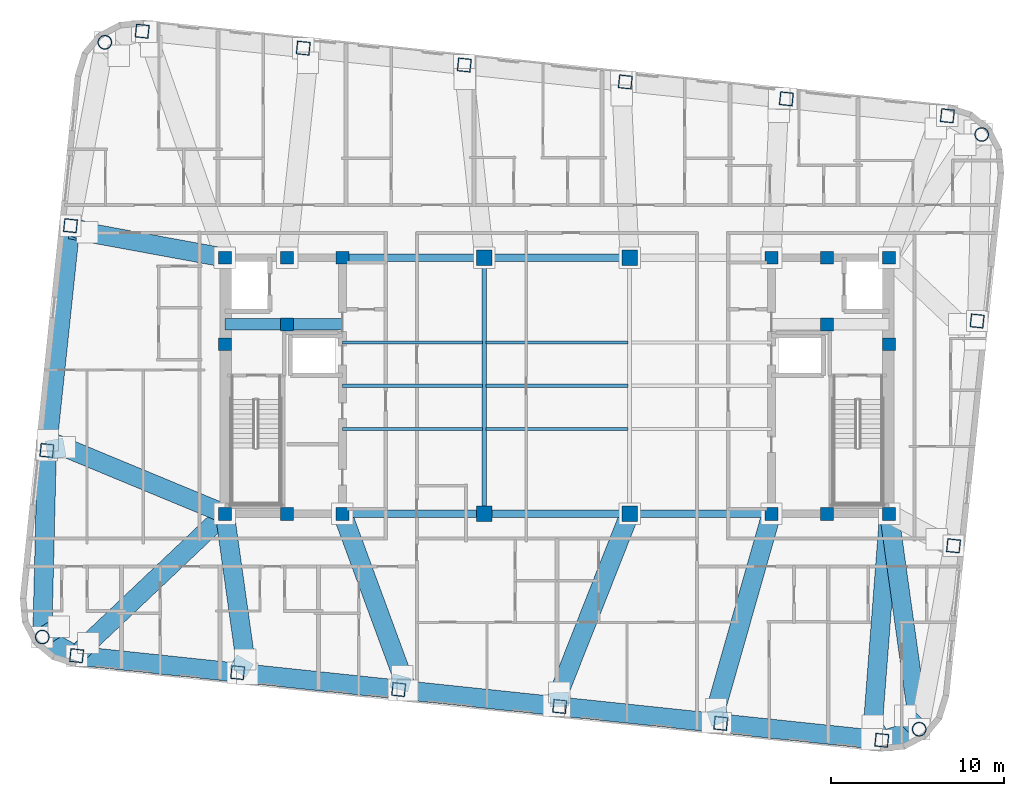
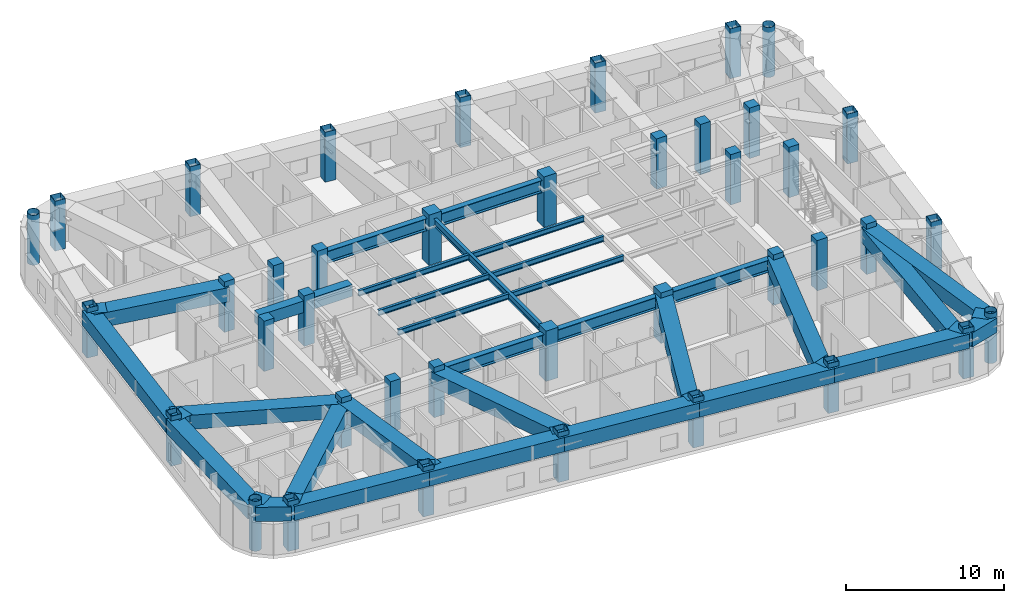
# One storey, part 1 of 12: 41 beams, 40 columns.
"""IFC4 building model written with IfcOpenShell, lengths in metres."""

from ifc_helpers import new_model, si_unit, direction, frame, origin, origin_2d, place, context, subcontext, project, spatial, rectangle, hollow_rectangle, hollow_circle, i_section, extrude, material, material_profile, profile_set, type_object, element, save


model = new_model("IFC4")

# Units and contexts
model_context = context("Model", 3, precision=1e-05, world=origin(), true_north=direction((0.0, 1.0)))
body_context = subcontext(model_context, "Body", "Model", "MODEL_VIEW")
ifc_project = project(units=[si_unit("LENGTHUNIT", "METRE"), si_unit("AREAUNIT", "SQUARE_METRE"), si_unit("VOLUMEUNIT", "CUBIC_METRE"), si_unit("PLANEANGLEUNIT", "RADIAN"), si_unit("MASSUNIT", "GRAM", prefix="KILO")], contexts=[model_context])

# Site, building, storey
site_placement = place(None, origin())
site = spatial("IfcSite", under=ifc_project, at=site_placement, CompositionType="ELEMENT")
building_placement = place(site_placement, origin())
building = spatial("IfcBuilding", under=site, at=building_placement, Name="Voryun Gate Residences", CompositionType="ELEMENT")
storey_placement = place(building_placement, frame((0.0, 0.0, 306.800048828125)))
storey = spatial("IfcBuildingStorey", under=building, at=storey_placement, Name="L76", CompositionType="ELEMENT", Elevation=306.800048828125)

# Columns
ifc_material_1 = material(Name="Concrete C50/60", Category="concrete")
ifc_material_profile_1 = material_profile(ifc_material_1, rectangle(XDim=0.75, YDim=0.75, at=origin_2d()), Name="RC-750x750")
ifc_profile_set_1 = profile_set([ifc_material_profile_1], Name="Concrete C50/60")
column_type_1 = type_object("IfcColumnType", Name="COL_CORE_750", PredefinedType="COLUMN", material=ifc_profile_set_1)
for number, where, z_axis, x_axis, name in (
    (1, (-19.199951171875, -7.39990234375, 0.0), (0.0, 0.0, 1.0), (1.0, 0.0, 0.0), "L76 Core boundary column WC-SW"),
    (2, (-19.199951171875, 2.39990234375, 0.0), (0.0, 0.0, 1.0), (1.0, 0.0, 0.0), "L76 Core boundary column WC-MW"),
    (3, (-19.199951171875, 7.39990234375, 0.0), (0.0, 0.0, 1.0), (1.0, 0.0, 0.0), "L76 Core boundary column WC-NW"),
    (4, (-15.60009765625, -7.39990234375, 0.0), (0.0, 0.0, 1.0), (1.0, 0.0, 0.0), "L76 Core boundary column WC-SM"),
    (5, (-15.60009765625, 7.39990234375, 0.0), (0.0, 0.0, 1.0), (1.0, 0.0, 0.0), "L76 Core boundary column WC-NM"),
    (6, (-12.39990234375, -7.39990234375, 0.0), (0.0, 0.0, 1.0), (1.0, 0.0, 0.0), "L76 Core boundary column WC-SE"),
    (7, (-15.60009765625, 3.550048828125, 0.0), (0.0, 0.0, 1.0), (1.0, 0.0, 0.0), "L76 Core boundary column WC-MM"),
    (8, (-12.39990234375, 7.39990234375, 0.0), (0.0, 0.0, 1.0), (1.0, 0.0, 0.0), "L76 Core boundary column WC-NE"),
    (9, (12.39990234375, -7.39990234375, 0.0), (0.0, 0.0, 1.0), (1.0, 0.0, 0.0), "L76 Core boundary column EC-SW"),
    (10, (15.60009765625, 3.550048828125, 0.0), (0.0, 0.0, 1.0), (1.0, 0.0, 0.0), "L76 Core boundary column EC-MM"),
    (11, (12.39990234375, 7.39990234375, 0.0), (0.0, 0.0, 1.0), (1.0, 0.0, 0.0), "L76 Core boundary column EC-NW"),
    (12, (15.60009765625, -7.39990234375, 0.0), (0.0, 0.0, 1.0), (1.0, 0.0, 0.0), "L76 Core boundary column EC-SM"),
    (13, (15.60009765625, 7.39990234375, 0.0), (0.0, 0.0, 1.0), (1.0, 0.0, 0.0), "L76 Core boundary column EC-NM"),
    (14, (19.199951171875, -7.39990234375, 0.0), (0.0, 0.0, 1.0), (1.0, 0.0, 0.0), "L76 Core boundary column EC-SE"),
    (15, (19.199951171875, 2.39990234375, 0.0), (0.0, 0.0, 1.0), (1.0, 0.0, 0.0), "L76 Core boundary column EC-ME"),
    (16, (19.199951171875, 7.39990234375, 0.0), (0.0, 0.0, 1.0), (1.0, 0.0, 0.0), "L76 Core boundary column EC-NE"),
):
    element("IfcColumn", number, at=place(storey_placement, frame(where, z_axis=z_axis, x_axis=x_axis)), inside=storey, type_object=column_type_1, Name=name, PredefinedType="COLUMN", context=body_context, shape_type="SweptSolid", body=[
        extrude(rectangle(XDim=0.75, YDim=0.75, at=origin_2d()), origin(), (0.0, 0.0, 1.0), 3.89990234375),
    ])
ifc_material_2 = material(Name="Concrete C50/60", Category="concrete")
ifc_material_profile_2 = material_profile(ifc_material_2, rectangle(XDim=0.89990234375, YDim=0.89990234375, at=origin_2d()), Name="RC-900x900")
ifc_profile_set_2 = profile_set([ifc_material_profile_2], Name="Concrete C50/60")
column_type_2 = type_object("IfcColumnType", Name="COL_CORE_900", PredefinedType="COLUMN", material=ifc_profile_set_2)
for number, where, z_axis, x_axis, name in (
    (17, (-4.199951171875, -7.39990234375, 0.0), (0.0, 0.0, 1.0), (1.0, 0.0, 0.0), "L76 Interior spine column SP-WS"),
    (18, (-4.199951171875, 7.39990234375, 0.0), (0.0, 0.0, 1.0), (1.0, 0.0, 0.0), "L76 Interior spine column SP-WN"),
    (19, (4.199951171875, -7.39990234375, 0.0), (0.0, 0.0, 1.0), (1.0, 0.0, 0.0), "L76 Interior spine column SP-ES"),
    (20, (4.199951171875, 7.39990234375, 0.0), (0.0, 0.0, 1.0), (1.0, 0.0, 0.0), "L76 Interior spine column SP-EN"),
):
    element("IfcColumn", number, at=place(storey_placement, frame(where, z_axis=z_axis, x_axis=x_axis)), inside=storey, type_object=column_type_2, Name=name, PredefinedType="COLUMN", context=body_context, shape_type="SweptSolid", body=[
        extrude(rectangle(XDim=0.89990234375, YDim=0.89990234375, at=origin_2d()), origin(), (0.0, 0.0, 1.0), 3.89990234375),
    ])
ifc_material_3 = material(Name="Steel SM355", Category="steel")
ifc_material_profile_3 = material_profile(ifc_material_3, hollow_circle(Radius=0.39990234375, WallThickness=0.028076171875, at=origin_2d()), Name="CHS-800x28")
ifc_profile_set_3 = profile_set([ifc_material_profile_3], Name="Steel SM355")
column_type_3 = type_object("IfcColumnType", Name="COL_CRN_800", PredefinedType="COLUMN", material=ifc_profile_set_3)
for number, where, z_axis, x_axis, name in (
    (21, (20.939453125, -19.855224609375, 0.0), (0.0, 0.0, 1.0), (0.994521895368, -0.104528463268, 0.0), "L76 Exoskeleton column CSE"),
    (22, (24.55322265625, 14.52734375, 0.0), (0.0, 0.0, 1.0), (0.994521895368, -0.104528463268, 0.0), "L76 Exoskeleton column CNE"),
    (23, (-26.139404296875, 19.855224609375, 0.0), (0.0, 0.0, 1.0), (0.994521895368, -0.104528463268, 0.0), "L76 Exoskeleton column CNW"),
    (24, (-29.753173828125, -14.52734375, 0.0), (0.0, 0.0, 1.0), (0.994521895368, -0.104528463268, 0.0), "L76 Exoskeleton column CSW"),
):
    element("IfcColumn", number, at=place(storey_placement, frame(where, z_axis=z_axis, x_axis=x_axis)), inside=storey, type_object=column_type_3, Name=name, PredefinedType="COLUMN", context=body_context, shape_type="SweptSolid", body=[
        extrude(hollow_circle(Radius=0.39990234375, WallThickness=0.028076171875, at=origin_2d()), origin(), (0.0, 0.0, 1.0), 3.864990234375),
    ])
ifc_material_4 = material(Name="Steel SM355", Category="steel")
ifc_material_profile_4 = material_profile(ifc_material_4, hollow_rectangle(XDim=0.75, YDim=0.75, WallThickness=0.02490234375, at=origin_2d()), Name="BOX-750x750x25")
ifc_profile_set_4 = profile_set([ifc_material_profile_4], Name="Steel SM355")
column_type_4 = type_object("IfcColumnType", Name="COL_EXO_B5", PredefinedType="COLUMN", material=ifc_profile_set_4)
for number, where, z_axis, x_axis, name in (
    (25, (-27.76904296875, -15.6044921875, 0.0), (0.0, 0.0, 1.0), (0.994521895368, -0.104528463268, 0.0), "L76 Exoskeleton column S1"),
    (26, (-18.460205078125, -16.5830078125, 0.0), (0.0, 0.0, 1.0), (0.994521895368, -0.104528463268, 0.0), "L76 Exoskeleton column S2"),
    (27, (-9.151611328125, -17.561279296875, 0.0), (0.0, 0.0, 1.0), (0.994521895368, -0.104528463268, 0.0), "L76 Exoskeleton column S3"),
    (28, (0.1572265625, -18.539794921875, 0.0), (0.0, 0.0, 1.0), (0.994521895368, -0.104528463268, 0.0), "L76 Exoskeleton column S4"),
    (29, (9.4658203125, -19.51806640625, 0.0), (0.0, 0.0, 1.0), (0.994521895368, -0.104528463268, 0.0), "L76 Exoskeleton column S5"),
    (30, (18.774658203125, -20.49658203125, 0.0), (0.0, 0.0, 1.0), (0.994521895368, -0.104528463268, 0.0), "L76 Exoskeleton column S6"),
    (31, (22.922607421875, -9.25244140625, 0.0), (0.0, 0.0, 1.0), (0.994521895368, -0.104528463268, 0.0), "L76 Exoskeleton column E1"),
    (32, (24.28857421875, 3.743896484375, 0.0), (0.0, 0.0, 1.0), (0.994521895368, -0.104528463268, 0.0), "L76 Exoskeleton column E2"),
    (33, (22.569091796875, 15.6044921875, 0.0), (0.0, 0.0, 1.0), (0.994521895368, -0.104528463268, 0.0), "L76 Exoskeleton column N1"),
    (34, (13.26025390625, 16.5830078125, 0.0), (0.0, 0.0, 1.0), (0.994521895368, -0.104528463268, 0.0), "L76 Exoskeleton column N2"),
    (35, (3.95166015625, 17.561279296875, 0.0), (0.0, 0.0, 1.0), (0.994521895368, -0.104528463268, 0.0), "L76 Exoskeleton column N3"),
    (36, (-5.357177734375, 18.539794921875, 0.0), (0.0, 0.0, 1.0), (0.994521895368, -0.104528463268, 0.0), "L76 Exoskeleton column N4"),
    (37, (-14.666015625, 19.51806640625, 0.0), (0.0, 0.0, 1.0), (0.994521895368, -0.104528463268, 0.0), "L76 Exoskeleton column N5"),
    (38, (-23.974609375, 20.49658203125, 0.0), (0.0, 0.0, 1.0), (0.994521895368, -0.104528463268, 0.0), "L76 Exoskeleton column N6"),
    (39, (-28.12255859375, 9.25244140625, 0.0), (0.0, 0.0, 1.0), (0.994521895368, -0.104528463268, 0.0), "L76 Exoskeleton column W1"),
    (40, (-29.488525390625, -3.743896484375, 0.0), (0.0, 0.0, 1.0), (0.994521895368, -0.104528463268, 0.0), "L76 Exoskeleton column W2"),
):
    element("IfcColumn", number, at=place(storey_placement, frame(where, z_axis=z_axis, x_axis=x_axis)), inside=storey, type_object=column_type_4, Name=name, PredefinedType="COLUMN", context=body_context, shape_type="SweptSolid", body=[
        extrude(hollow_rectangle(XDim=0.75, YDim=0.75, WallThickness=0.02490234375, at=origin_2d()), origin(), (0.0, 0.0, 1.0), 3.864990234375),
    ])

# Beams
ifc_material_5 = material(Name="Steel SM420", Category="steel")
ifc_material_profile_5 = material_profile(ifc_material_5, hollow_rectangle(XDim=1.10009765625, YDim=1.10009765625, WallThickness=0.035888671875, at=origin_2d()), Name="BOX-1100x1100x36")
ifc_profile_set_5 = profile_set([ifc_material_profile_5], Name="Steel SM420")
beam_type_1 = type_object("IfcBeamType", Name="BM_ARCH_RIB", PredefinedType="USERDEFINED", material=ifc_profile_set_5)
beam_1_placement = place(storey_placement, frame((-27.76904296875, -15.6044921875, 2.949951171875), z_axis=(0.994520592114, -0.104540862157, 0.0), x_axis=(0.104540862157, 0.994520592114, 0.0)))
element("IfcBeam", 41, at=beam_1_placement, inside=storey, type_object=beam_type_1, Name="BM-L76-SPAND-01", ObjectType="GIRDER", PredefinedType="USERDEFINED", context=body_context, shape_type="SweptSolid", body=[
    extrude(hollow_rectangle(XDim=1.10009765625, YDim=1.10009765625, WallThickness=0.035888671875, at=origin_2d()), origin(), (0.0, 0.0, 1.0), 9.360107421875),
])
beam_2_placement = place(storey_placement, frame((-18.460205078125, -16.5830078125, 2.949951171875), z_axis=(0.994523018663, -0.104517775278, 0.0), x_axis=(0.104517775278, 0.994523018663, 0.0)))
element("IfcBeam", 42, at=beam_2_placement, inside=storey, type_object=beam_type_1, Name="BM-L76-SPAND-02", ObjectType="GIRDER", PredefinedType="USERDEFINED", context=body_context, shape_type="SweptSolid", body=[
    extrude(hollow_rectangle(XDim=1.10009765625, YDim=1.10009765625, WallThickness=0.035888671875, at=origin_2d()), origin(), (0.0, 0.0, 1.0), 9.35986328125),
])
beam_3_placement = place(storey_placement, frame((-9.151611328125, -17.561279296875, 2.949951171875), z_axis=(0.994520592114, -0.104540862157, 0.0), x_axis=(0.104540862157, 0.994520592114, 0.0)))
element("IfcBeam", 43, at=beam_3_placement, inside=storey, type_object=beam_type_1, Name="BM-L76-SPAND-03", ObjectType="GIRDER", PredefinedType="USERDEFINED", context=body_context, shape_type="SweptSolid", body=[
    extrude(hollow_rectangle(XDim=1.10009765625, YDim=1.10009765625, WallThickness=0.035888671875, at=origin_2d()), origin(), (0.0, 0.0, 1.0), 9.360107421875),
])
beam_4_placement = place(storey_placement, frame((0.1572265625, -18.539794921875, 2.949951171875), z_axis=(0.994523018663, -0.104517775278, 0.0), x_axis=(0.104517775278, 0.994523018663, 0.0)))
element("IfcBeam", 44, at=beam_4_placement, inside=storey, type_object=beam_type_1, Name="BM-L76-SPAND-04", ObjectType="GIRDER", PredefinedType="USERDEFINED", context=body_context, shape_type="SweptSolid", body=[
    extrude(hollow_rectangle(XDim=1.10009765625, YDim=1.10009765625, WallThickness=0.035888671875, at=origin_2d()), origin(), (0.0, 0.0, 1.0), 9.35986328125),
])
beam_5_placement = place(storey_placement, frame((9.4658203125, -19.51806640625, 2.949951171875), z_axis=(0.994520592114, -0.104540862157, 0.0), x_axis=(0.104540862157, 0.994520592114, 0.0)))
element("IfcBeam", 45, at=beam_5_placement, inside=storey, type_object=beam_type_1, Name="BM-L76-SPAND-05", ObjectType="GIRDER", PredefinedType="USERDEFINED", context=body_context, shape_type="SweptSolid", body=[
    extrude(hollow_rectangle(XDim=1.10009765625, YDim=1.10009765625, WallThickness=0.035888671875, at=origin_2d()), origin(), (0.0, 0.0, 1.0), 9.360107421875),
])
beam_6_placement = place(storey_placement, frame((18.774658203125, -20.49658203125, 2.949951171875), z_axis=(0.958805748412, 0.28406255792, 0.0), x_axis=(-0.28406255792, 0.958805748412, 0.0)))
element("IfcBeam", 46, at=beam_6_placement, inside=storey, type_object=beam_type_1, Name="BM-L76-SPAND-06", ObjectType="GIRDER", PredefinedType="USERDEFINED", context=body_context, shape_type="SweptSolid", body=[
    extrude(hollow_rectangle(XDim=1.10009765625, YDim=1.10009765625, WallThickness=0.035888671875, at=origin_2d()), origin(), (0.0, 0.0, 1.0), 2.2578125),
])
beam_7_placement = place(storey_placement, frame((-28.12255859375, 9.25244140625, 2.949951171875), z_axis=(-0.104528209082, -0.994521922084, 0.0), x_axis=(0.994521922084, -0.104528209082, 0.0)))
element("IfcBeam", 47, at=beam_7_placement, inside=storey, type_object=beam_type_1, Name="BM-L76-SPAND-18", ObjectType="GIRDER", PredefinedType="USERDEFINED", context=body_context, shape_type="SweptSolid", body=[
    extrude(hollow_rectangle(XDim=1.10009765625, YDim=1.10009765625, WallThickness=0.035888671875, at=origin_2d()), origin(), (0.0, 0.0, 1.0), 13.06787109375),
])
beam_8_placement = place(storey_placement, frame((-29.488525390625, -3.743896484375, 2.949951171875), z_axis=(-0.024534711967, -0.999698978647, 0.0), x_axis=(0.999698978647, -0.024534711967, 0.0)))
element("IfcBeam", 48, at=beam_8_placement, inside=storey, type_object=beam_type_1, Name="BM-L76-SPAND-19", ObjectType="GIRDER", PredefinedType="USERDEFINED", context=body_context, shape_type="SweptSolid", body=[
    extrude(hollow_rectangle(XDim=1.10009765625, YDim=1.10009765625, WallThickness=0.035888671875, at=origin_2d()), origin(), (0.0, 0.0, 1.0), 10.78662109375),
])
beam_9_placement = place(storey_placement, frame((-29.753173828125, -14.52734375, 2.949951171875), z_axis=(0.878844363117, -0.477108567746, 0.0), x_axis=(0.477108567746, 0.878844363117, 0.0)))
element("IfcBeam", 49, at=beam_9_placement, inside=storey, type_object=beam_type_1, Name="BM-L76-SPAND-20", ObjectType="GIRDER", PredefinedType="USERDEFINED", context=body_context, shape_type="SweptSolid", body=[
    extrude(hollow_rectangle(XDim=1.10009765625, YDim=1.10009765625, WallThickness=0.035888671875, at=origin_2d()), origin(), (0.0, 0.0, 1.0), 2.257568359375),
])
beam_10_placement = place(storey_placement, frame((-19.199951171875, -7.39990234375, 2.949951171875), z_axis=(-0.72602339526, -0.687670000462, 0.0), x_axis=(0.687670000462, -0.72602339526, 0.0)))
element("IfcBeam", 50, at=beam_10_placement, inside=storey, type_object=beam_type_1, Name="BM-L76-XFERCANT-S1", ObjectType="GIRDER", PredefinedType="USERDEFINED", context=body_context, shape_type="SweptSolid", body=[
    extrude(hollow_rectangle(XDim=1.10009765625, YDim=1.10009765625, WallThickness=0.035888671875, at=origin_2d()), origin(), (0.0, 0.0, 1.0), 11.884521484375),
])
beam_11_placement = place(storey_placement, frame((-27.76904296875, -15.6044921875, 2.949951171875), z_axis=(0.680497924835, 0.732750008048, 0.0), x_axis=(-0.732750008048, 0.680497924835, 0.0)))
element("IfcBeam", 51, at=beam_11_placement, inside=storey, type_object=beam_type_1, Name="BM-L76-XFERLOW-S1", ObjectType="GIRDER", PredefinedType="USERDEFINED", context=body_context, shape_type="SweptSolid", body=[
    extrude(hollow_rectangle(XDim=1.10009765625, YDim=1.10009765625, WallThickness=0.035888671875, at=origin_2d()), origin(), (0.0, 0.0, 1.0), 1.0),
])
beam_12_placement = place(storey_placement, frame((-19.199951171875, -7.39990234375, 2.949951171875), z_axis=(0.138867996191, -0.990310900492, 0.0), x_axis=(0.990310900492, 0.138867996191, 0.0)))
element("IfcBeam", 52, at=beam_12_placement, inside=storey, type_object=beam_type_1, Name="BM-L76-XFERCANT-S2", ObjectType="GIRDER", PredefinedType="USERDEFINED", context=body_context, shape_type="SweptSolid", body=[
    extrude(hollow_rectangle(XDim=1.10009765625, YDim=1.10009765625, WallThickness=0.035888671875, at=origin_2d()), origin(), (0.0, 0.0, 1.0), 9.331787109375),
])
beam_13_placement = place(storey_placement, frame((-18.460205078125, -16.5830078125, 2.949951171875), z_axis=(0.503403791868, 0.86405128455, 0.0), x_axis=(-0.86405128455, 0.503403791868, 0.0)))
element("IfcBeam", 53, at=beam_13_placement, inside=storey, type_object=beam_type_1, Name="BM-L76-XFERLOW-S2", ObjectType="GIRDER", PredefinedType="USERDEFINED", context=body_context, shape_type="SweptSolid", body=[
    extrude(hollow_rectangle(XDim=1.10009765625, YDim=1.10009765625, WallThickness=0.035888671875, at=origin_2d()), origin(), (0.0, 0.0, 1.0), 0.87744140625),
])
beam_14_placement = place(storey_placement, frame((-12.39990234375, -7.39990234375, 2.949951171875), z_axis=(0.345367528144, -0.938467511693, 0.0), x_axis=(0.938467511693, 0.345367528144, 0.0)))
element("IfcBeam", 54, at=beam_14_placement, inside=storey, type_object=beam_type_1, Name="BM-L76-XFERCANT-S3", ObjectType="GIRDER", PredefinedType="USERDEFINED", context=body_context, shape_type="SweptSolid", body=[
    extrude(hollow_rectangle(XDim=1.10009765625, YDim=1.10009765625, WallThickness=0.035888671875, at=origin_2d()), origin(), (0.0, 0.0, 1.0), 10.884765625),
])
beam_15_placement = place(storey_placement, frame((-9.151611328125, -17.561279296875, 2.949951171875), z_axis=(0.251119275724, 0.967956150536, 0.0), x_axis=(-0.967956150536, 0.251119275724, 0.0)))
element("IfcBeam", 55, at=beam_15_placement, inside=storey, type_object=beam_type_1, Name="BM-L76-XFERLOW-S3", ObjectType="GIRDER", PredefinedType="USERDEFINED", context=body_context, shape_type="SweptSolid", body=[
    extrude(hollow_rectangle(XDim=1.10009765625, YDim=1.10009765625, WallThickness=0.035888671875, at=origin_2d()), origin(), (0.0, 0.0, 1.0), 0.808837890625),
])
beam_16_placement = place(storey_placement, frame((4.199951171875, -7.39990234375, 2.949951171875), z_axis=(-0.367176778581, -0.930151177643, 0.0), x_axis=(0.930151177643, -0.367176778581, 0.0)))
element("IfcBeam", 56, at=beam_16_placement, inside=storey, type_object=beam_type_1, Name="BM-L76-XFERCANT-S4", ObjectType="GIRDER", PredefinedType="USERDEFINED", context=body_context, shape_type="SweptSolid", body=[
    extrude(hollow_rectangle(XDim=1.10009765625, YDim=1.10009765625, WallThickness=0.035888671875, at=origin_2d()), origin(), (0.0, 0.0, 1.0), 11.937744140625),
])
beam_17_placement = place(storey_placement, frame((0.1572265625, -18.539794921875, 2.949951171875), z_axis=(-0.044367144451, 0.999015293423, 0.0), x_axis=(-0.999015293423, -0.044367144451, 0.0)))
element("IfcBeam", 57, at=beam_17_placement, inside=storey, type_object=beam_type_1, Name="BM-L76-XFERLOW-S4", ObjectType="GIRDER", PredefinedType="USERDEFINED", context=body_context, shape_type="SweptSolid", body=[
    extrude(hollow_rectangle(XDim=1.10009765625, YDim=1.10009765625, WallThickness=0.035888671875, at=origin_2d()), origin(), (0.0, 0.0, 1.0), 0.808837890625),
])
beam_18_placement = place(storey_placement, frame((12.39990234375, -7.39990234375, 2.949951171875), z_axis=(-0.273463926258, -0.961882259445, 0.0), x_axis=(0.961882259445, -0.273463926258, 0.0)))
element("IfcBeam", 58, at=beam_18_placement, inside=storey, type_object=beam_type_1, Name="BM-L76-XFERCANT-S5", ObjectType="GIRDER", PredefinedType="USERDEFINED", context=body_context, shape_type="SweptSolid", body=[
    extrude(hollow_rectangle(XDim=1.10009765625, YDim=1.10009765625, WallThickness=0.035888671875, at=origin_2d()), origin(), (0.0, 0.0, 1.0), 12.54443359375),
])
beam_19_placement = place(storey_placement, frame((9.4658203125, -19.51806640625, 2.949951171875), z_axis=(-0.312802688786, 0.949818128848, 0.0), x_axis=(-0.949818128848, -0.312802688786, 0.0)))
element("IfcBeam", 59, at=beam_19_placement, inside=storey, type_object=beam_type_1, Name="BM-L76-XFERLOW-S5", ObjectType="GIRDER", PredefinedType="USERDEFINED", context=body_context, shape_type="SweptSolid", body=[
    extrude(hollow_rectangle(XDim=1.10009765625, YDim=1.10009765625, WallThickness=0.035888671875, at=origin_2d()), origin(), (0.0, 0.0, 1.0), 0.877197265625),
])
beam_20_placement = place(storey_placement, frame((19.199951171875, -7.39990234375, 2.949951171875), z_axis=(-0.076465173606, -0.997072252761, 0.0), x_axis=(0.997072252761, -0.076465173606, 0.0)))
element("IfcBeam", 60, at=beam_20_placement, inside=storey, type_object=beam_type_1, Name="BM-L76-XFERCANT-S6", ObjectType="GIRDER", PredefinedType="USERDEFINED", context=body_context, shape_type="SweptSolid", body=[
    extrude(hollow_rectangle(XDim=1.10009765625, YDim=1.10009765625, WallThickness=0.035888671875, at=origin_2d()), origin(), (0.0, 0.0, 1.0), 13.07470703125),
])
beam_21_placement = place(storey_placement, frame((18.774658203125, -20.49658203125, 2.949951171875), z_axis=(-0.513130929105, 0.858310345735, 0.0), x_axis=(-0.858310345735, -0.513130929105, 0.0)))
element("IfcBeam", 61, at=beam_21_placement, inside=storey, type_object=beam_type_1, Name="BM-L76-XFERLOW-S6", ObjectType="GIRDER", PredefinedType="USERDEFINED", context=body_context, shape_type="SweptSolid", body=[
    extrude(hollow_rectangle(XDim=1.10009765625, YDim=1.10009765625, WallThickness=0.035888671875, at=origin_2d()), origin(), (0.0, 0.0, 1.0), 1.0),
])
beam_22_placement = place(storey_placement, frame((20.939453125, -19.855224609375, 2.949951171875), z_axis=(-0.722789121667, 0.691068654766, 0.0), x_axis=(-0.691068654766, -0.722789121667, 0.0)))
element("IfcBeam", 62, at=beam_22_placement, inside=storey, type_object=beam_type_1, Name="BM-L76-XFERLOW-CSE", ObjectType="GIRDER", PredefinedType="USERDEFINED", context=body_context, shape_type="SweptSolid", body=[
    extrude(hollow_rectangle(XDim=1.10009765625, YDim=1.10009765625, WallThickness=0.035888671875, at=origin_2d()), origin(), (0.0, 0.0, 1.0), 1.115966796875),
])
beam_23_placement = place(storey_placement, frame((-19.199951171875, 7.39990234375, 2.949951171875), z_axis=(-0.983549210374, 0.180640390758, 0.0), x_axis=(-0.180640390758, -0.983549210374, 0.0)))
element("IfcBeam", 63, at=beam_23_placement, inside=storey, type_object=beam_type_1, Name="BM-L76-XFERCANT-W1", ObjectType="GIRDER", PredefinedType="USERDEFINED", context=body_context, shape_type="SweptSolid", body=[
    extrude(hollow_rectangle(XDim=1.10009765625, YDim=1.10009765625, WallThickness=0.035888671875, at=origin_2d()), origin(), (0.0, 0.0, 1.0), 9.094482421875),
])
beam_24_placement = place(storey_placement, frame((-28.12255859375, 9.25244140625, 2.949951171875), z_axis=(0.926767968051, -0.375634308063, 0.0), x_axis=(0.375634308063, 0.926767968051, 0.0)))
element("IfcBeam", 64, at=beam_24_placement, inside=storey, type_object=beam_type_1, Name="BM-L76-XFERLOW-W1", ObjectType="GIRDER", PredefinedType="USERDEFINED", context=body_context, shape_type="SweptSolid", body=[
    extrude(hollow_rectangle(XDim=1.10009765625, YDim=1.10009765625, WallThickness=0.035888671875, at=origin_2d()), origin(), (0.0, 0.0, 1.0), 1.04052734375),
])
beam_25_placement = place(storey_placement, frame((-19.199951171875, -7.39990234375, 2.949951171875), z_axis=(-0.923857968791, 0.382735487644, 0.0), x_axis=(-0.382735487644, -0.923857968791, 0.0)))
element("IfcBeam", 65, at=beam_25_placement, inside=storey, type_object=beam_type_1, Name="BM-L76-XFERCANT-W2", ObjectType="GIRDER", PredefinedType="USERDEFINED", context=body_context, shape_type="SweptSolid", body=[
    extrude(hollow_rectangle(XDim=1.10009765625, YDim=1.10009765625, WallThickness=0.035888671875, at=origin_2d()), origin(), (0.0, 0.0, 1.0), 11.070556640625),
])
beam_26_placement = place(storey_placement, frame((-29.488525390625, -3.743896484375, 2.949951171875), z_axis=(0.984601124482, 0.174815976582, 0.0), x_axis=(-0.174815976582, 0.984601124482, 0.0)))
element("IfcBeam", 66, at=beam_26_placement, inside=storey, type_object=beam_type_1, Name="BM-L76-XFERLOW-W2", ObjectType="GIRDER", PredefinedType="USERDEFINED", context=body_context, shape_type="SweptSolid", body=[
    extrude(hollow_rectangle(XDim=1.10009765625, YDim=1.10009765625, WallThickness=0.035888671875, at=origin_2d()), origin(), (0.0, 0.0, 1.0), 1.04052734375),
])
beam_27_placement = place(storey_placement, frame((-29.753173828125, -14.52734375, 2.949951171875), z_axis=(0.850605241231, 0.525804834127, 0.0), x_axis=(-0.525804834127, 0.850605241231, 0.0)))
element("IfcBeam", 67, at=beam_27_placement, inside=storey, type_object=beam_type_1, Name="BM-L76-XFERLOW-CSW", ObjectType="GIRDER", PredefinedType="USERDEFINED", context=body_context, shape_type="SweptSolid", body=[
    extrude(hollow_rectangle(XDim=1.10009765625, YDim=1.10009765625, WallThickness=0.035888671875, at=origin_2d()), origin(), (0.0, 0.0, 1.0), 1.1162109375),
])
beam_28_placement = place(storey_placement, frame((19.199951171875, -7.39990234375, 2.949951171875), z_axis=(0.138316926402, -0.990388018844, 0.0), x_axis=(0.990388018844, 0.138316926402, 0.0)))
element("IfcBeam", 68, at=beam_28_placement, inside=storey, type_object=beam_type_1, Name="BM-L76-RAD-CSE", ObjectType="GIRDER", PredefinedType="USERDEFINED", context=body_context, shape_type="SweptSolid", body=[
    extrude(hollow_rectangle(XDim=1.10009765625, YDim=1.10009765625, WallThickness=0.035888671875, at=origin_2d()), origin(), (0.0, 0.0, 1.0), 12.576171875),
])
ifc_material_6 = material(Name="Concrete C60/75", Category="concrete")
ifc_material_profile_6 = material_profile(ifc_material_6, rectangle(XDim=0.64990234375, YDim=0.89990234375, at=origin_2d()), Name="RC-650x900")
ifc_profile_set_6 = profile_set([ifc_material_profile_6], Name="Concrete C60/75")
beam_type_2 = type_object("IfcBeamType", Name="BM_COUP_RC900", PredefinedType="LINTEL", material=ifc_profile_set_6)
beam_29_placement = place(storey_placement, frame((-19.199951171875, 3.550048828125, 3.050048828125), z_axis=(1.0, 0.0, 0.0), x_axis=(0.0, 1.0, 0.0)))
element("IfcBeam", 69, at=beam_29_placement, inside=storey, type_object=beam_type_2, Name="BM-L76-WC1", PredefinedType="LINTEL", context=body_context, shape_type="SweptSolid", body=[
    extrude(rectangle(XDim=0.64990234375, YDim=0.89990234375, at=origin_2d()), origin(), (0.0, 0.0, 1.0), 6.800048828125),
])
ifc_material_7 = material(Name="Steel SM355", Category="steel")
ifc_material_profile_7 = material_profile(ifc_material_7, i_section(OverallWidth=0.239990234375, OverallDepth=0.550048828125, WebThickness=0.011962890625, FlangeThickness=0.02001953125, FilletRadius=0.01806640625, at=origin_2d()), Name="H-550x240x12x20")
ifc_profile_set_7 = profile_set([ifc_material_profile_7], Name="Steel SM355")
beam_type_3 = type_object("IfcBeamType", Name="BM_GIRD_550", PredefinedType="USERDEFINED", material=ifc_profile_set_7)
beam_30_placement = place(storey_placement, frame((-4.199951171875, -7.39990234375, 3.224853515625), z_axis=(0.0, 1.0, 0.0), x_axis=(-1.0, 0.0, 0.0)))
element("IfcBeam", 70, at=beam_30_placement, inside=storey, type_object=beam_type_3, Name="BM-L76-SPX-W", ObjectType="GIRDER", PredefinedType="USERDEFINED", context=body_context, shape_type="SweptSolid", body=[
    extrude(i_section(OverallWidth=0.239990234375, OverallDepth=0.550048828125, WebThickness=0.011962890625, FlangeThickness=0.02001953125, FilletRadius=0.01806640625, at=origin_2d()), origin(), (0.0, 0.0, 1.0), 14.7998046875),
])
ifc_material_8 = material(Name="Steel SM355", Category="steel")
ifc_material_profile_8 = material_profile(ifc_material_8, i_section(OverallWidth=0.18994140625, OverallDepth=0.419921875, WebThickness=0.009033203125, FlangeThickness=0.01611328125, FilletRadius=0.01806640625, at=origin_2d()), Name="H-420x190x9x16")
ifc_profile_set_8 = profile_set([ifc_material_profile_8], Name="Steel SM355")
beam_type_4 = type_object("IfcBeamType", Name="BM_SEC_420", PredefinedType="BEAM", material=ifc_profile_set_8)
beam_31_placement = place(storey_placement, frame((-12.39990234375, -2.5, 3.2900390625), z_axis=(1.0, 0.0, 0.0), x_axis=(0.0, 1.0, 0.0)))
element("IfcBeam", 71, at=beam_31_placement, inside=storey, type_object=beam_type_4, Name="BM-L76-SEC-CS1", PredefinedType="BEAM", context=body_context, shape_type="SweptSolid", body=[
    extrude(i_section(OverallWidth=0.18994140625, OverallDepth=0.419921875, WebThickness=0.009033203125, FlangeThickness=0.01611328125, FilletRadius=0.01806640625, at=origin_2d()), origin(), (0.0, 0.0, 1.0), 8.099853515625),
])
beam_32_placement = place(storey_placement, frame((-4.10009765625, -2.5, 3.2900390625), z_axis=(1.0, 0.0, 0.0), x_axis=(0.0, 1.0, 0.0)))
element("IfcBeam", 72, at=beam_32_placement, inside=storey, type_object=beam_type_4, Name="BM-L76-SEC-CS2", PredefinedType="BEAM", context=body_context, shape_type="SweptSolid", body=[
    extrude(i_section(OverallWidth=0.18994140625, OverallDepth=0.419921875, WebThickness=0.009033203125, FlangeThickness=0.01611328125, FilletRadius=0.01806640625, at=origin_2d()), origin(), (0.0, 0.0, 1.0), 8.2001953125),
])
beam_33_placement = place(storey_placement, frame((-12.39990234375, 0.0, 3.2900390625), z_axis=(1.0, 0.0, 0.0), x_axis=(0.0, 1.0, 0.0)))
element("IfcBeam", 73, at=beam_33_placement, inside=storey, type_object=beam_type_4, Name="BM-L76-SEC-CM1", PredefinedType="BEAM", context=body_context, shape_type="SweptSolid", body=[
    extrude(i_section(OverallWidth=0.18994140625, OverallDepth=0.419921875, WebThickness=0.009033203125, FlangeThickness=0.01611328125, FilletRadius=0.01806640625, at=origin_2d()), origin(), (0.0, 0.0, 1.0), 8.099853515625),
])
beam_34_placement = place(storey_placement, frame((-4.10009765625, 0.0, 3.2900390625), z_axis=(1.0, 0.0, 0.0), x_axis=(0.0, 1.0, 0.0)))
element("IfcBeam", 74, at=beam_34_placement, inside=storey, type_object=beam_type_4, Name="BM-L76-SEC-CM2", PredefinedType="BEAM", context=body_context, shape_type="SweptSolid", body=[
    extrude(i_section(OverallWidth=0.18994140625, OverallDepth=0.419921875, WebThickness=0.009033203125, FlangeThickness=0.01611328125, FilletRadius=0.01806640625, at=origin_2d()), origin(), (0.0, 0.0, 1.0), 8.2001953125),
])
beam_35_placement = place(storey_placement, frame((-12.39990234375, 2.5, 3.2900390625), z_axis=(1.0, 0.0, 0.0), x_axis=(0.0, 1.0, 0.0)))
element("IfcBeam", 75, at=beam_35_placement, inside=storey, type_object=beam_type_4, Name="BM-L76-SEC-CN1", PredefinedType="BEAM", context=body_context, shape_type="SweptSolid", body=[
    extrude(i_section(OverallWidth=0.18994140625, OverallDepth=0.419921875, WebThickness=0.009033203125, FlangeThickness=0.01611328125, FilletRadius=0.01806640625, at=origin_2d()), origin(), (0.0, 0.0, 1.0), 8.099853515625),
])
beam_36_placement = place(storey_placement, frame((-4.10009765625, 2.5, 3.2900390625), z_axis=(1.0, 0.0, 0.0), x_axis=(0.0, 1.0, 0.0)))
element("IfcBeam", 76, at=beam_36_placement, inside=storey, type_object=beam_type_4, Name="BM-L76-SEC-CN2", PredefinedType="BEAM", context=body_context, shape_type="SweptSolid", body=[
    extrude(i_section(OverallWidth=0.18994140625, OverallDepth=0.419921875, WebThickness=0.009033203125, FlangeThickness=0.01611328125, FilletRadius=0.01806640625, at=origin_2d()), origin(), (0.0, 0.0, 1.0), 8.2001953125),
])
ifc_material_9 = material(Name="Steel SM420", Category="steel")
ifc_material_profile_9 = material_profile(ifc_material_9, i_section(OverallWidth=0.419921875, OverallDepth=0.949951171875, WebThickness=0.02001953125, FlangeThickness=0.035888671875, FilletRadius=0.01806640625, at=origin_2d()), Name="H-950x420x20x36")
ifc_profile_set_9 = profile_set([ifc_material_profile_9], Name="Steel SM420")
beam_type_5 = type_object("IfcBeamType", Name="BM_XFER_950", PredefinedType="USERDEFINED", material=ifc_profile_set_9)
beam_37_placement = place(storey_placement, frame((-12.39990234375, -7.39990234375, 3.02490234375), z_axis=(1.0, 0.0, 0.0), x_axis=(0.0, 1.0, 0.0)))
element("IfcBeam", 77, at=beam_37_placement, inside=storey, type_object=beam_type_5, Name="BM-L76-SPG1-S", ObjectType="GIRDER", PredefinedType="USERDEFINED", context=body_context, shape_type="SweptSolid", body=[
    extrude(i_section(OverallWidth=0.419921875, OverallDepth=0.949951171875, WebThickness=0.02001953125, FlangeThickness=0.035888671875, FilletRadius=0.01806640625, at=origin_2d()), origin(), (0.0, 0.0, 1.0), 8.199951171875),
])
beam_38_placement = place(storey_placement, frame((-4.199951171875, -7.39990234375, 3.02490234375), z_axis=(1.0, 0.0, 0.0), x_axis=(0.0, 1.0, 0.0)))
element("IfcBeam", 78, at=beam_38_placement, inside=storey, type_object=beam_type_5, Name="BM-L76-SPG2-S", ObjectType="GIRDER", PredefinedType="USERDEFINED", context=body_context, shape_type="SweptSolid", body=[
    extrude(i_section(OverallWidth=0.419921875, OverallDepth=0.949951171875, WebThickness=0.02001953125, FlangeThickness=0.035888671875, FilletRadius=0.01806640625, at=origin_2d()), origin(), (0.0, 0.0, 1.0), 8.39990234375),
])
for number, where, z_axis, x_axis, name in (
    (79, (4.199951171875, -7.39990234375, 3.02490234375), (1.0, 0.0, 0.0), (0.0, 1.0, 0.0), "BM-L76-SPG3-S"),
    (80, (-12.39990234375, 7.39990234375, 3.02490234375), (1.0, 0.0, 0.0), (0.0, 1.0, 0.0), "BM-L76-SPG1-N"),
):
    element("IfcBeam", number, at=place(storey_placement, frame(where, z_axis=z_axis, x_axis=x_axis)), inside=storey, type_object=beam_type_5, Name=name, ObjectType="GIRDER", PredefinedType="USERDEFINED", context=body_context, shape_type="SweptSolid", body=[
        extrude(i_section(OverallWidth=0.419921875, OverallDepth=0.949951171875, WebThickness=0.02001953125, FlangeThickness=0.035888671875, FilletRadius=0.01806640625, at=origin_2d()), origin(), (0.0, 0.0, 1.0), 8.199951171875),
    ])
beam_39_placement = place(storey_placement, frame((-4.199951171875, 7.39990234375, 3.02490234375), z_axis=(1.0, 0.0, 0.0), x_axis=(0.0, 1.0, 0.0)))
element("IfcBeam", 81, at=beam_39_placement, inside=storey, type_object=beam_type_5, Name="BM-L76-SPG2-N", ObjectType="GIRDER", PredefinedType="USERDEFINED", context=body_context, shape_type="SweptSolid", body=[
    extrude(i_section(OverallWidth=0.419921875, OverallDepth=0.949951171875, WebThickness=0.02001953125, FlangeThickness=0.035888671875, FilletRadius=0.01806640625, at=origin_2d()), origin(), (0.0, 0.0, 1.0), 8.39990234375),
])

save(model, "model.ifc")
